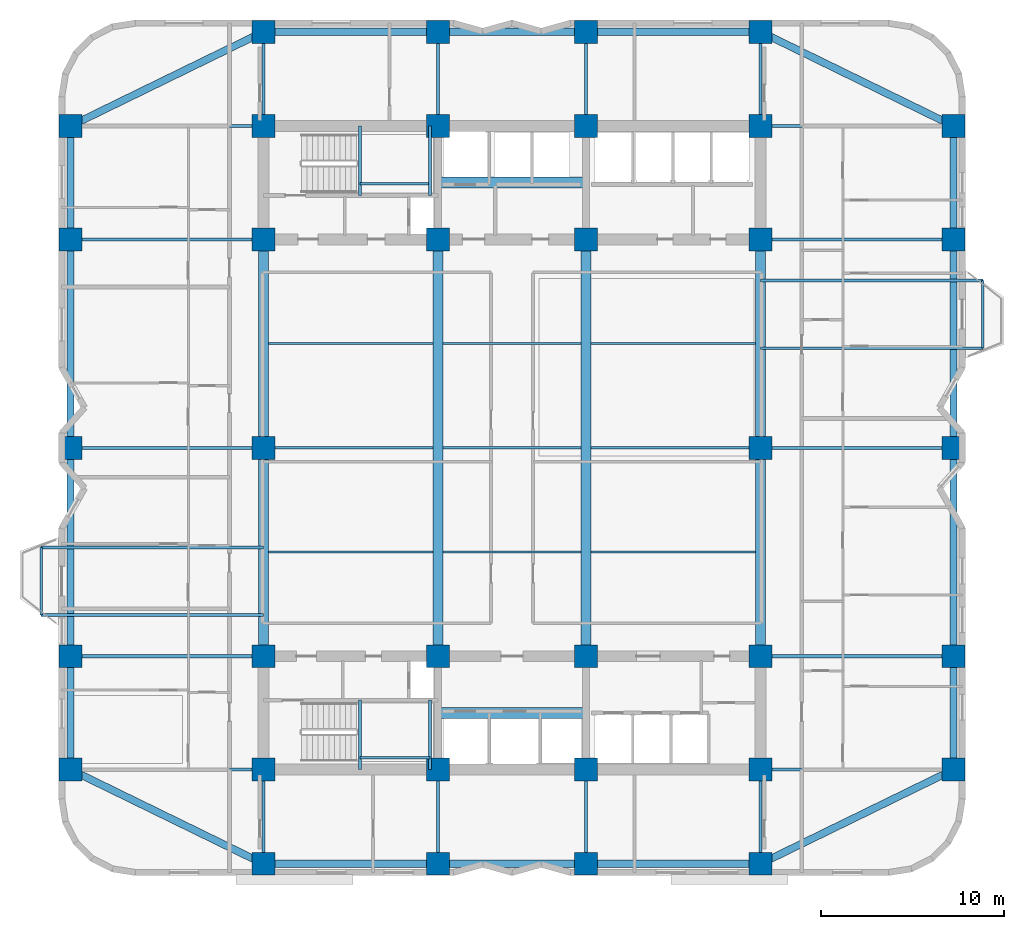
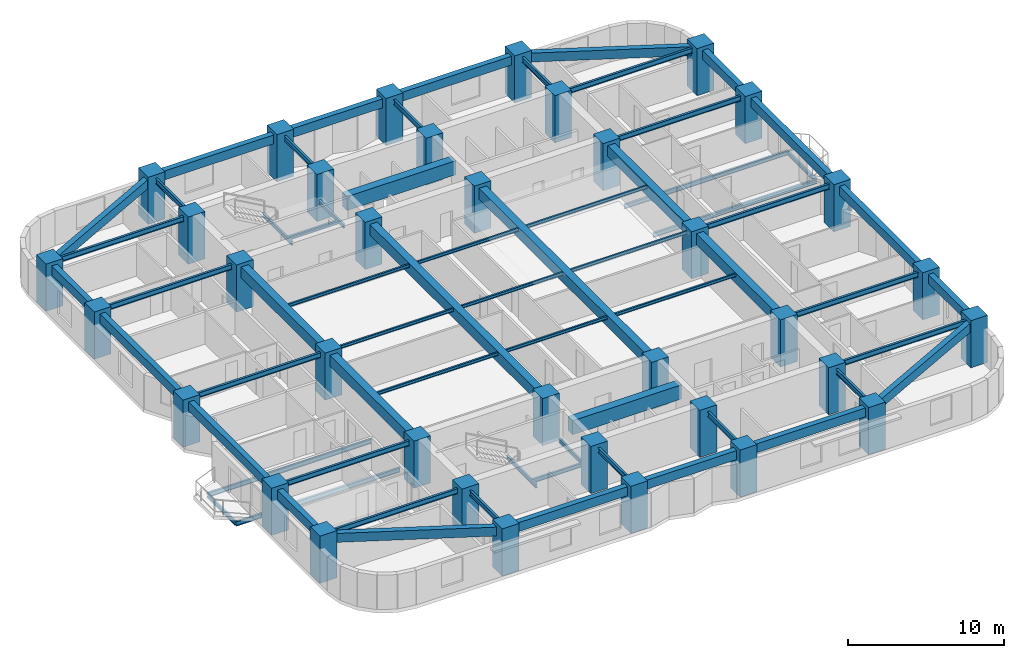
# One storey, part 1 of 9: 65 beams, 36 columns.
"""IFC4 building model written with IfcOpenShell, lengths in metres."""

from ifc_helpers import new_model, si_unit, direction, frame, origin, origin_2d, place, context, subcontext, project, spatial, rectangle, i_section, extrude, material, material_profile, profile_set, type_object, element, save


model = new_model("IFC4")

# Units and contexts
model_context = context("Model", 3, precision=1e-05, world=origin(), true_north=direction((0.0, 1.0)))
body_context = subcontext(model_context, "Body", "Model", "MODEL_VIEW")
ifc_project = project(units=[si_unit("LENGTHUNIT", "METRE"), si_unit("AREAUNIT", "SQUARE_METRE"), si_unit("VOLUMEUNIT", "CUBIC_METRE"), si_unit("PLANEANGLEUNIT", "RADIAN"), si_unit("MASSUNIT", "GRAM", prefix="KILO")], contexts=[model_context])

# Site, building, storey
site_placement = place(None, origin())
site = spatial("IfcSite", under=ifc_project, at=site_placement, CompositionType="ELEMENT")
building_placement = place(site_placement, origin())
building = spatial("IfcBuilding", under=site, at=building_placement, Name="Svetorya Sky Lyceum", CompositionType="ELEMENT")
storey_placement = place(building_placement, frame((0.0, 0.0, 47.300048828125)))
storey = spatial("IfcBuildingStorey", under=building, at=storey_placement, Name="L11", CompositionType="ELEMENT", Elevation=47.300048828125)

# Columns
ifc_material_1 = material(Name="Concrete C60/75", Category="concrete")
ifc_material_profile_1 = material_profile(ifc_material_1, rectangle(XDim=1.25, YDim=1.25, at=origin_2d()), Name="RC COL 1250x1250")
ifc_profile_set_1 = profile_set([ifc_material_profile_1], Name="Concrete C60/75")
column_type = type_object("IfcColumnType", Name="COL-RC-1250", PredefinedType="COLUMN", material=ifc_profile_set_1)
for number, where, z_axis, x_axis, name in (
    (1, (25.60009765625, 10.60009765625, 0.0), (0.0, 0.0, 1.0), (1.0, 0.0, 0.0), "L11 Core Column CS-11"),
    (2, (25.60009765625, 16.800048828125, 0.0), (0.0, 0.0, 1.0), (1.0, 0.0, 0.0), "L11 Core Column CS-12"),
    (3, (35.14990234375, 10.60009765625, 0.0), (0.0, 0.0, 1.0), (1.0, 0.0, 0.0), "L11 Core Column CS-21"),
    (4, (35.14990234375, 16.800048828125, 0.0), (0.0, 0.0, 1.0), (1.0, 0.0, 0.0), "L11 Core Column CS-22"),
    (5, (43.25, 10.60009765625, 0.0), (0.0, 0.0, 1.0), (1.0, 0.0, 0.0), "L11 Core Column CS-31"),
    (6, (43.25, 16.800048828125, 0.0), (0.0, 0.0, 1.0), (1.0, 0.0, 0.0), "L11 Core Column CS-32"),
    (7, (52.800048828125, 10.60009765625, 0.0), (0.0, 0.0, 1.0), (1.0, 0.0, 0.0), "L11 Core Column CS-41"),
    (8, (52.800048828125, 16.800048828125, 0.0), (0.0, 0.0, 1.0), (1.0, 0.0, 0.0), "L11 Core Column CS-42"),
    (9, (25.60009765625, 39.60009765625, 0.0), (0.0, 0.0, 1.0), (1.0, 0.0, 0.0), "L11 Core Column CN-11"),
    (10, (25.60009765625, 45.800048828125, 0.0), (0.0, 0.0, 1.0), (1.0, 0.0, 0.0), "L11 Core Column CN-12"),
    (11, (35.14990234375, 39.60009765625, 0.0), (0.0, 0.0, 1.0), (1.0, 0.0, 0.0), "L11 Core Column CN-21"),
    (12, (35.14990234375, 45.800048828125, 0.0), (0.0, 0.0, 1.0), (1.0, 0.0, 0.0), "L11 Core Column CN-22"),
    (13, (43.25, 39.60009765625, 0.0), (0.0, 0.0, 1.0), (1.0, 0.0, 0.0), "L11 Core Column CN-31"),
    (14, (43.25, 45.800048828125, 0.0), (0.0, 0.0, 1.0), (1.0, 0.0, 0.0), "L11 Core Column CN-32"),
    (15, (52.800048828125, 39.60009765625, 0.0), (0.0, 0.0, 1.0), (1.0, 0.0, 0.0), "L11 Core Column CN-41"),
    (16, (52.800048828125, 45.800048828125, 0.0), (0.0, 0.0, 1.0), (1.0, 0.0, 0.0), "L11 Core Column CN-42"),
    (17, (25.60009765625, 28.199951171875, 0.0), (0.0, 0.0, 1.0), (1.0, 0.0, 0.0), "L11 Core Column CM-W"),
    (18, (52.800048828125, 28.199951171875, 0.0), (0.0, 0.0, 1.0), (1.0, 0.0, 0.0), "L11 Core Column CM-E"),
    (19, (25.60009765625, 5.449951171875, 0.0), (0.0, 0.0, 1.0), (1.0, 0.0, 0.0), "L11 Perimeter Column S1"),
    (20, (25.60009765625, 50.949951171875, 0.0), (0.0, 0.0, 1.0), (1.0, 0.0, 0.0), "L11 Perimeter Column N1"),
    (21, (35.14990234375, 5.449951171875, 0.0), (0.0, 0.0, 1.0), (1.0, 0.0, 0.0), "L11 Perimeter Column S2"),
    (22, (35.14990234375, 50.949951171875, 0.0), (0.0, 0.0, 1.0), (1.0, 0.0, 0.0), "L11 Perimeter Column N2"),
    (23, (43.25, 5.449951171875, 0.0), (0.0, 0.0, 1.0), (1.0, 0.0, 0.0), "L11 Perimeter Column S3"),
    (24, (43.25, 50.949951171875, 0.0), (0.0, 0.0, 1.0), (1.0, 0.0, 0.0), "L11 Perimeter Column N3"),
    (25, (52.800048828125, 5.449951171875, 0.0), (0.0, 0.0, 1.0), (1.0, 0.0, 0.0), "L11 Perimeter Column S4"),
    (26, (52.800048828125, 50.949951171875, 0.0), (0.0, 0.0, 1.0), (1.0, 0.0, 0.0), "L11 Perimeter Column N4"),
    (27, (15.050048828125, 10.60009765625, 0.0), (0.0, 0.0, 1.0), (1.0, 0.0, 0.0), "L11 Perimeter Column W1"),
    (28, (63.35009765625, 10.60009765625, 0.0), (0.0, 0.0, 1.0), (1.0, 0.0, 0.0), "L11 Perimeter Column E1"),
    (29, (15.050048828125, 16.800048828125, 0.0), (0.0, 0.0, 1.0), (1.0, 0.0, 0.0), "L11 Perimeter Column W2"),
    (30, (63.35009765625, 16.800048828125, 0.0), (0.0, 0.0, 1.0), (1.0, 0.0, 0.0), "L11 Perimeter Column E2"),
    (31, (15.050048828125, 28.199951171875, 0.0), (0.0, 0.0, 1.0), (1.0, 0.0, 0.0), "L11 Perimeter Column W3"),
    (32, (63.35009765625, 28.199951171875, 0.0), (0.0, 0.0, 1.0), (1.0, 0.0, 0.0), "L11 Perimeter Column E3"),
    (33, (15.050048828125, 39.60009765625, 0.0), (0.0, 0.0, 1.0), (1.0, 0.0, 0.0), "L11 Perimeter Column W4"),
    (34, (63.35009765625, 39.60009765625, 0.0), (0.0, 0.0, 1.0), (1.0, 0.0, 0.0), "L11 Perimeter Column E4"),
    (35, (15.050048828125, 45.800048828125, 0.0), (0.0, 0.0, 1.0), (1.0, 0.0, 0.0), "L11 Perimeter Column W5"),
    (36, (63.35009765625, 45.800048828125, 0.0), (0.0, 0.0, 1.0), (1.0, 0.0, 0.0), "L11 Perimeter Column E5"),
):
    element("IfcColumn", number, at=place(storey_placement, frame(where, z_axis=z_axis, x_axis=x_axis)), inside=storey, type_object=column_type, Name=name, PredefinedType="COLUMN", context=body_context, shape_type="SweptSolid", body=[
        extrude(rectangle(XDim=1.25, YDim=1.25, at=origin_2d()), origin(), (0.0, 0.0, 1.0), 3.699951171875),
    ])

# Beams
ifc_material_profile_2 = material_profile(ifc_material_1, rectangle(XDim=0.60009765625, YDim=1.10009765625, at=origin_2d()), Name="RC COUPLING 600x1100")
ifc_profile_set_2 = profile_set([ifc_material_profile_2], Name="Concrete C60/75")
beam_type_1 = type_object("IfcBeamType", Name="BM-CPL-1100", PredefinedType="LINTEL", material=ifc_profile_set_2)
for number, where, z_axis, x_axis, name in (
    (37, (35.14990234375, 13.699951171875, 2.869873046875), (1.0, 0.0, 0.0), (0.0, 1.0, 0.0), "L11 SC Core Coupling Beam"),
    (38, (35.14990234375, 42.699951171875, 2.869873046875), (1.0, 0.0, 0.0), (0.0, 1.0, 0.0), "L11 NC Core Coupling Beam"),
):
    element("IfcBeam", number, at=place(storey_placement, frame(where, z_axis=z_axis, x_axis=x_axis)), inside=storey, type_object=beam_type_1, Name=name, PredefinedType="LINTEL", context=body_context, shape_type="SweptSolid", body=[
        extrude(rectangle(XDim=0.60009765625, YDim=1.10009765625, at=origin_2d()), origin(), (0.0, 0.0, 1.0), 8.10009765625),
    ])
ifc_material_2 = material(Name="Concrete C50/60", Category="concrete")
ifc_material_profile_3 = material_profile(ifc_material_2, rectangle(XDim=0.550048828125, YDim=0.85009765625, at=origin_2d()), Name="RC BEAM 550x850")
ifc_profile_set_3 = profile_set([ifc_material_profile_3], Name="Concrete C50/60")
beam_type_2 = type_object("IfcBeamType", Name="BM-RC-850", PredefinedType="BEAM", material=ifc_profile_set_3)
beam_1_placement = place(storey_placement, frame((25.60009765625, 16.800048828125, 2.994873046875), z_axis=(0.0, 1.0, 0.0), x_axis=(-1.0, 0.0, 0.0)))
element("IfcBeam", 39, at=beam_1_placement, inside=storey, type_object=beam_type_2, Name="L11 Central Bay Primary Girder CG-1A", PredefinedType="BEAM", context=body_context, shape_type="SweptSolid", body=[
    extrude(rectangle(XDim=0.550048828125, YDim=0.85009765625, at=origin_2d()), origin(), (0.0, 0.0, 1.0), 11.39990234375),
])
beam_2_placement = place(storey_placement, frame((25.60009765625, 28.199951171875, 2.994873046875), z_axis=(0.0, 1.0, 0.0), x_axis=(-1.0, 0.0, 0.0)))
element("IfcBeam", 40, at=beam_2_placement, inside=storey, type_object=beam_type_2, Name="L11 Central Bay Primary Girder CG-1B", PredefinedType="BEAM", context=body_context, shape_type="SweptSolid", body=[
    extrude(rectangle(XDim=0.550048828125, YDim=0.85009765625, at=origin_2d()), origin(), (0.0, 0.0, 1.0), 11.400146484375),
])
for number, where, z_axis, x_axis, name in (
    (41, (35.14990234375, 16.800048828125, 2.994873046875), (0.0, 1.0, 0.0), (-1.0, 0.0, 0.0), "L11 Central Bay Primary Girder CG-2"),
    (42, (43.25, 16.800048828125, 2.994873046875), (0.0, 1.0, 0.0), (-1.0, 0.0, 0.0), "L11 Central Bay Primary Girder CG-3"),
):
    element("IfcBeam", number, at=place(storey_placement, frame(where, z_axis=z_axis, x_axis=x_axis)), inside=storey, type_object=beam_type_2, Name=name, PredefinedType="BEAM", context=body_context, shape_type="SweptSolid", body=[
        extrude(rectangle(XDim=0.550048828125, YDim=0.85009765625, at=origin_2d()), origin(), (0.0, 0.0, 1.0), 22.800048828125),
    ])
beam_3_placement = place(storey_placement, frame((52.800048828125, 16.800048828125, 2.994873046875), z_axis=(0.0, 1.0, 0.0), x_axis=(-1.0, 0.0, 0.0)))
element("IfcBeam", 43, at=beam_3_placement, inside=storey, type_object=beam_type_2, Name="L11 Central Bay Primary Girder CG-4A", PredefinedType="BEAM", context=body_context, shape_type="SweptSolid", body=[
    extrude(rectangle(XDim=0.550048828125, YDim=0.85009765625, at=origin_2d()), origin(), (0.0, 0.0, 1.0), 11.39990234375),
])
beam_4_placement = place(storey_placement, frame((52.800048828125, 28.199951171875, 2.994873046875), z_axis=(0.0, 1.0, 0.0), x_axis=(-1.0, 0.0, 0.0)))
element("IfcBeam", 44, at=beam_4_placement, inside=storey, type_object=beam_type_2, Name="L11 Central Bay Primary Girder CG-4B", PredefinedType="BEAM", context=body_context, shape_type="SweptSolid", body=[
    extrude(rectangle(XDim=0.550048828125, YDim=0.85009765625, at=origin_2d()), origin(), (0.0, 0.0, 1.0), 11.400146484375),
])
ifc_material_profile_4 = material_profile(ifc_material_2, rectangle(XDim=0.39990234375, YDim=0.699951171875, at=origin_2d()), Name="RC SPANDREL 400x700")
ifc_profile_set_4 = profile_set([ifc_material_profile_4], Name="Concrete C50/60")
beam_type_3 = type_object("IfcBeamType", Name="BM-SPN-700", PredefinedType="SPANDREL", material=ifc_profile_set_4)
beam_5_placement = place(storey_placement, frame((25.60009765625, 5.449951171875, 3.070068359375), z_axis=(1.0, 0.0, 0.0), x_axis=(0.0, 1.0, 0.0)))
element("IfcBeam", 45, at=beam_5_placement, inside=storey, type_object=beam_type_3, Name="L11 South Spandrel 1", PredefinedType="SPANDREL", context=body_context, shape_type="SweptSolid", body=[
    extrude(rectangle(XDim=0.39990234375, YDim=0.699951171875, at=origin_2d()), origin(), (0.0, 0.0, 1.0), 9.5498046875),
])
beam_6_placement = place(storey_placement, frame((35.14990234375, 5.449951171875, 3.070068359375), z_axis=(1.0, 0.0, 0.0), x_axis=(0.0, 1.0, 0.0)))
element("IfcBeam", 46, at=beam_6_placement, inside=storey, type_object=beam_type_3, Name="L11 South Spandrel 2", PredefinedType="SPANDREL", context=body_context, shape_type="SweptSolid", body=[
    extrude(rectangle(XDim=0.39990234375, YDim=0.699951171875, at=origin_2d()), origin(), (0.0, 0.0, 1.0), 8.10009765625),
])
beam_7_placement = place(storey_placement, frame((43.25, 5.449951171875, 3.070068359375), z_axis=(1.0, 0.0, 0.0), x_axis=(0.0, 1.0, 0.0)))
element("IfcBeam", 47, at=beam_7_placement, inside=storey, type_object=beam_type_3, Name="L11 South Spandrel 3", PredefinedType="SPANDREL", context=body_context, shape_type="SweptSolid", body=[
    extrude(rectangle(XDim=0.39990234375, YDim=0.699951171875, at=origin_2d()), origin(), (0.0, 0.0, 1.0), 9.550048828125),
])
beam_8_placement = place(storey_placement, frame((25.60009765625, 50.949951171875, 3.070068359375), z_axis=(1.0, 0.0, 0.0), x_axis=(0.0, 1.0, 0.0)))
element("IfcBeam", 48, at=beam_8_placement, inside=storey, type_object=beam_type_3, Name="L11 North Spandrel 1", PredefinedType="SPANDREL", context=body_context, shape_type="SweptSolid", body=[
    extrude(rectangle(XDim=0.39990234375, YDim=0.699951171875, at=origin_2d()), origin(), (0.0, 0.0, 1.0), 9.5498046875),
])
beam_9_placement = place(storey_placement, frame((35.14990234375, 50.949951171875, 3.070068359375), z_axis=(1.0, 0.0, 0.0), x_axis=(0.0, 1.0, 0.0)))
element("IfcBeam", 49, at=beam_9_placement, inside=storey, type_object=beam_type_3, Name="L11 North Spandrel 2", PredefinedType="SPANDREL", context=body_context, shape_type="SweptSolid", body=[
    extrude(rectangle(XDim=0.39990234375, YDim=0.699951171875, at=origin_2d()), origin(), (0.0, 0.0, 1.0), 8.10009765625),
])
beam_10_placement = place(storey_placement, frame((43.25, 50.949951171875, 3.070068359375), z_axis=(1.0, 0.0, 0.0), x_axis=(0.0, 1.0, 0.0)))
element("IfcBeam", 50, at=beam_10_placement, inside=storey, type_object=beam_type_3, Name="L11 North Spandrel 3", PredefinedType="SPANDREL", context=body_context, shape_type="SweptSolid", body=[
    extrude(rectangle(XDim=0.39990234375, YDim=0.699951171875, at=origin_2d()), origin(), (0.0, 0.0, 1.0), 9.550048828125),
])
for number, where, z_axis, x_axis, name in (
    (51, (25.60009765625, 5.449951171875, 3.070068359375), (-0.898641495694, 0.438683783854, 0.0), (-0.438683783854, -0.898641495694, 0.0), "L11 Corner Spandrel 1"),
    (52, (52.800048828125, 5.449951171875, 3.070068359375), (0.898641495694, 0.438683783854, 0.0), (-0.438683783854, 0.898641495694, 0.0), "L11 Corner Spandrel 2"),
    (53, (63.35009765625, 45.800048828125, 3.070068359375), (-0.898649693653, 0.438666989978, 0.0), (-0.438666989978, -0.898649693653, 0.0), "L11 Corner Spandrel 3"),
    (54, (15.050048828125, 45.800048828125, 3.070068359375), (0.898649693653, 0.438666989978, 0.0), (-0.438666989978, 0.898649693653, 0.0), "L11 Corner Spandrel 4"),
):
    element("IfcBeam", number, at=place(storey_placement, frame(where, z_axis=z_axis, x_axis=x_axis)), inside=storey, type_object=beam_type_3, Name=name, PredefinedType="SPANDREL", context=body_context, shape_type="SweptSolid", body=[
        extrude(rectangle(XDim=0.39990234375, YDim=0.699951171875, at=origin_2d()), origin(), (0.0, 0.0, 1.0), 11.739990234375),
    ])
beam_11_placement = place(storey_placement, frame((15.050048828125, 10.60009765625, 3.070068359375), z_axis=(0.0, 1.0, 0.0), x_axis=(-1.0, 0.0, 0.0)))
element("IfcBeam", 55, at=beam_11_placement, inside=storey, type_object=beam_type_3, Name="L11 West Spandrel 1", PredefinedType="SPANDREL", context=body_context, shape_type="SweptSolid", body=[
    extrude(rectangle(XDim=0.39990234375, YDim=0.699951171875, at=origin_2d()), origin(), (0.0, 0.0, 1.0), 6.199951171875),
])
beam_12_placement = place(storey_placement, frame((15.050048828125, 16.800048828125, 3.070068359375), z_axis=(0.0, 1.0, 0.0), x_axis=(-1.0, 0.0, 0.0)))
element("IfcBeam", 56, at=beam_12_placement, inside=storey, type_object=beam_type_3, Name="L11 West Spandrel 2", PredefinedType="SPANDREL", context=body_context, shape_type="SweptSolid", body=[
    extrude(rectangle(XDim=0.39990234375, YDim=0.699951171875, at=origin_2d()), origin(), (0.0, 0.0, 1.0), 11.39990234375),
])
beam_13_placement = place(storey_placement, frame((15.050048828125, 28.199951171875, 3.070068359375), z_axis=(0.0, 1.0, 0.0), x_axis=(-1.0, 0.0, 0.0)))
element("IfcBeam", 57, at=beam_13_placement, inside=storey, type_object=beam_type_3, Name="L11 West Spandrel 3", PredefinedType="SPANDREL", context=body_context, shape_type="SweptSolid", body=[
    extrude(rectangle(XDim=0.39990234375, YDim=0.699951171875, at=origin_2d()), origin(), (0.0, 0.0, 1.0), 11.400146484375),
])
for number, where, z_axis, x_axis, name in (
    (58, (15.050048828125, 39.60009765625, 3.070068359375), (0.0, 1.0, 0.0), (-1.0, 0.0, 0.0), "L11 West Spandrel 4"),
    (59, (63.35009765625, 10.60009765625, 3.070068359375), (0.0, 1.0, 0.0), (-1.0, 0.0, 0.0), "L11 East Spandrel 1"),
):
    element("IfcBeam", number, at=place(storey_placement, frame(where, z_axis=z_axis, x_axis=x_axis)), inside=storey, type_object=beam_type_3, Name=name, PredefinedType="SPANDREL", context=body_context, shape_type="SweptSolid", body=[
        extrude(rectangle(XDim=0.39990234375, YDim=0.699951171875, at=origin_2d()), origin(), (0.0, 0.0, 1.0), 6.199951171875),
    ])
beam_14_placement = place(storey_placement, frame((63.35009765625, 16.800048828125, 3.070068359375), z_axis=(0.0, 1.0, 0.0), x_axis=(-1.0, 0.0, 0.0)))
element("IfcBeam", 60, at=beam_14_placement, inside=storey, type_object=beam_type_3, Name="L11 East Spandrel 2", PredefinedType="SPANDREL", context=body_context, shape_type="SweptSolid", body=[
    extrude(rectangle(XDim=0.39990234375, YDim=0.699951171875, at=origin_2d()), origin(), (0.0, 0.0, 1.0), 11.39990234375),
])
beam_15_placement = place(storey_placement, frame((63.35009765625, 28.199951171875, 3.070068359375), z_axis=(0.0, 1.0, 0.0), x_axis=(-1.0, 0.0, 0.0)))
element("IfcBeam", 61, at=beam_15_placement, inside=storey, type_object=beam_type_3, Name="L11 East Spandrel 3", PredefinedType="SPANDREL", context=body_context, shape_type="SweptSolid", body=[
    extrude(rectangle(XDim=0.39990234375, YDim=0.699951171875, at=origin_2d()), origin(), (0.0, 0.0, 1.0), 11.400146484375),
])
beam_16_placement = place(storey_placement, frame((63.35009765625, 39.60009765625, 3.070068359375), z_axis=(0.0, 1.0, 0.0), x_axis=(-1.0, 0.0, 0.0)))
element("IfcBeam", 62, at=beam_16_placement, inside=storey, type_object=beam_type_3, Name="L11 East Spandrel 4", PredefinedType="SPANDREL", context=body_context, shape_type="SweptSolid", body=[
    extrude(rectangle(XDim=0.39990234375, YDim=0.699951171875, at=origin_2d()), origin(), (0.0, 0.0, 1.0), 6.199951171875),
])
ifc_material_3 = material(Name="Steel S355", Category="steel")
ifc_material_profile_5 = material_profile(ifc_material_3, i_section(OverallWidth=0.1240234375, OverallDepth=0.248046875, WebThickness=0.006103515625, FlangeThickness=0.009521484375, at=origin_2d()), Name="GOST 25B2")
ifc_profile_set_5 = profile_set([ifc_material_profile_5], Name="Steel S355")
beam_type_4 = type_object("IfcBeamType", Name="BM-STL-25B2", PredefinedType="JOIST", material=ifc_profile_set_5)
beam_17_placement = place(storey_placement, frame((25.875, 22.5, 3.2958984375), z_axis=(1.0, 0.0, 0.0), x_axis=(0.0, 1.0, 0.0)))
element("IfcBeam", 63, at=beam_17_placement, inside=storey, type_object=beam_type_4, Name="L11 Central Floor Joist CJ-1.1", PredefinedType="JOIST", context=body_context, shape_type="SweptSolid", body=[
    extrude(i_section(OverallWidth=0.1240234375, OverallDepth=0.248046875, WebThickness=0.006103515625, FlangeThickness=0.009521484375, at=origin_2d()), origin(), (0.0, 0.0, 1.0), 9.0),
])
beam_18_placement = place(storey_placement, frame((35.425048828125, 22.5, 3.2958984375), z_axis=(1.0, 0.0, 0.0), x_axis=(0.0, 1.0, 0.0)))
element("IfcBeam", 64, at=beam_18_placement, inside=storey, type_object=beam_type_4, Name="L11 Central Floor Joist CJ-1.2", PredefinedType="JOIST", context=body_context, shape_type="SweptSolid", body=[
    extrude(i_section(OverallWidth=0.1240234375, OverallDepth=0.248046875, WebThickness=0.006103515625, FlangeThickness=0.009521484375, at=origin_2d()), origin(), (0.0, 0.0, 1.0), 7.550048828125),
])
for number, where, z_axis, x_axis, name in (
    (65, (43.52490234375, 22.5, 3.2958984375), (1.0, 0.0, 0.0), (0.0, 1.0, 0.0), "L11 Central Floor Joist CJ-1.3"),
    (66, (25.875, 28.199951171875, 3.2958984375), (1.0, 0.0, 0.0), (0.0, 1.0, 0.0), "L11 Central Floor Joist CJ-2.1"),
):
    element("IfcBeam", number, at=place(storey_placement, frame(where, z_axis=z_axis, x_axis=x_axis)), inside=storey, type_object=beam_type_4, Name=name, PredefinedType="JOIST", context=body_context, shape_type="SweptSolid", body=[
        extrude(i_section(OverallWidth=0.1240234375, OverallDepth=0.248046875, WebThickness=0.006103515625, FlangeThickness=0.009521484375, at=origin_2d()), origin(), (0.0, 0.0, 1.0), 9.0),
    ])
beam_19_placement = place(storey_placement, frame((35.425048828125, 28.199951171875, 3.2958984375), z_axis=(1.0, 0.0, 0.0), x_axis=(0.0, 1.0, 0.0)))
element("IfcBeam", 67, at=beam_19_placement, inside=storey, type_object=beam_type_4, Name="L11 Central Floor Joist CJ-2.2", PredefinedType="JOIST", context=body_context, shape_type="SweptSolid", body=[
    extrude(i_section(OverallWidth=0.1240234375, OverallDepth=0.248046875, WebThickness=0.006103515625, FlangeThickness=0.009521484375, at=origin_2d()), origin(), (0.0, 0.0, 1.0), 7.550048828125),
])
for number, where, z_axis, x_axis, name in (
    (68, (43.52490234375, 28.199951171875, 3.2958984375), (1.0, 0.0, 0.0), (0.0, 1.0, 0.0), "L11 Central Floor Joist CJ-2.3"),
    (69, (25.875, 33.89990234375, 3.2958984375), (1.0, 0.0, 0.0), (0.0, 1.0, 0.0), "L11 Central Floor Joist CJ-3.1"),
):
    element("IfcBeam", number, at=place(storey_placement, frame(where, z_axis=z_axis, x_axis=x_axis)), inside=storey, type_object=beam_type_4, Name=name, PredefinedType="JOIST", context=body_context, shape_type="SweptSolid", body=[
        extrude(i_section(OverallWidth=0.1240234375, OverallDepth=0.248046875, WebThickness=0.006103515625, FlangeThickness=0.009521484375, at=origin_2d()), origin(), (0.0, 0.0, 1.0), 9.0),
    ])
beam_20_placement = place(storey_placement, frame((35.425048828125, 33.89990234375, 3.2958984375), z_axis=(1.0, 0.0, 0.0), x_axis=(0.0, 1.0, 0.0)))
element("IfcBeam", 70, at=beam_20_placement, inside=storey, type_object=beam_type_4, Name="L11 Central Floor Joist CJ-3.2", PredefinedType="JOIST", context=body_context, shape_type="SweptSolid", body=[
    extrude(i_section(OverallWidth=0.1240234375, OverallDepth=0.248046875, WebThickness=0.006103515625, FlangeThickness=0.009521484375, at=origin_2d()), origin(), (0.0, 0.0, 1.0), 7.550048828125),
])
beam_21_placement = place(storey_placement, frame((43.52490234375, 33.89990234375, 3.2958984375), z_axis=(1.0, 0.0, 0.0), x_axis=(0.0, 1.0, 0.0)))
element("IfcBeam", 71, at=beam_21_placement, inside=storey, type_object=beam_type_4, Name="L11 Central Floor Joist CJ-3.3", PredefinedType="JOIST", context=body_context, shape_type="SweptSolid", body=[
    extrude(i_section(OverallWidth=0.1240234375, OverallDepth=0.248046875, WebThickness=0.006103515625, FlangeThickness=0.009521484375, at=origin_2d()), origin(), (0.0, 0.0, 1.0), 9.0),
])
ifc_material_profile_6 = material_profile(ifc_material_3, i_section(OverallWidth=0.14990234375, OverallDepth=0.299072265625, WebThickness=0.006591796875, FlangeThickness=0.010498046875, at=origin_2d()), Name="GOST 30B2")
ifc_profile_set_6 = profile_set([ifc_material_profile_6], Name="Steel S355")
beam_type_5 = type_object("IfcBeamType", Name="BM-STL-30B2", PredefinedType="JOIST", material=ifc_profile_set_6)
beam_22_placement = place(storey_placement, frame((13.449951171875, 19.050048828125, -0.45458984375), z_axis=(0.0, 1.0, 0.0), x_axis=(-1.0, 0.0, 0.0)))
element("IfcBeam", 72, at=beam_22_placement, inside=storey, type_object=beam_type_5, Name="L11 Balcony Edge Tie BAL-W1", PredefinedType="JOIST", context=body_context, shape_type="SweptSolid", body=[
    extrude(i_section(OverallWidth=0.14990234375, OverallDepth=0.299072265625, WebThickness=0.006591796875, FlangeThickness=0.010498046875, at=origin_2d()), origin(), (0.0, 0.0, 1.0), 3.699951171875),
])
beam_23_placement = place(storey_placement, frame((64.949951171875, 33.64990234375, -0.45458984375), z_axis=(0.0, 1.0, 0.0), x_axis=(-1.0, 0.0, 0.0)))
element("IfcBeam", 73, at=beam_23_placement, inside=storey, type_object=beam_type_5, Name="L11 Balcony Edge Tie BAL-E1", PredefinedType="JOIST", context=body_context, shape_type="SweptSolid", body=[
    extrude(i_section(OverallWidth=0.14990234375, OverallDepth=0.299072265625, WebThickness=0.006591796875, FlangeThickness=0.010498046875, at=origin_2d()), origin(), (0.0, 0.0, 1.0), 3.7001953125),
])
for number, where, z_axis, x_axis, name in (
    (74, (30.8798828125, 10.60009765625, 1.50048828125), (0.0, 1.0, 0.0), (-1.0, 0.0, 0.0), "L11 Stair ST-S Half-Landing Support Beam 13.1"),
    (75, (34.719970703125, 10.60009765625, 1.50048828125), (0.0, 1.0, 0.0), (-1.0, 0.0, 0.0), "L11 Stair ST-S Half-Landing Support Beam 13.2"),
):
    element("IfcBeam", number, at=place(storey_placement, frame(where, z_axis=z_axis, x_axis=x_axis)), inside=storey, type_object=beam_type_5, Name=name, PredefinedType="JOIST", context=body_context, shape_type="SweptSolid", body=[
        extrude(i_section(OverallWidth=0.14990234375, OverallDepth=0.299072265625, WebThickness=0.006591796875, FlangeThickness=0.010498046875, at=origin_2d()), origin(), (0.0, 0.0, 1.0), 3.7998046875),
    ])
beam_24_placement = place(storey_placement, frame((30.8798828125, 11.25, 1.50048828125), z_axis=(1.0, 0.0, 0.0), x_axis=(0.0, 1.0, 0.0)))
element("IfcBeam", 76, at=beam_24_placement, inside=storey, type_object=beam_type_5, Name="L11 Stair ST-S Half-Landing Cross Tie 13", PredefinedType="JOIST", context=body_context, shape_type="SweptSolid", body=[
    extrude(i_section(OverallWidth=0.14990234375, OverallDepth=0.299072265625, WebThickness=0.006591796875, FlangeThickness=0.010498046875, at=origin_2d()), origin(), (0.0, 0.0, 1.0), 3.840087890625),
])
for number, where, z_axis, x_axis, name in (
    (77, (30.8798828125, 42.0, 1.50048828125), (0.0, 1.0, 0.0), (-1.0, 0.0, 0.0), "L11 Stair ST-N Half-Landing Support Beam 13.1"),
    (78, (34.719970703125, 42.0, 1.50048828125), (0.0, 1.0, 0.0), (-1.0, 0.0, 0.0), "L11 Stair ST-N Half-Landing Support Beam 13.2"),
):
    element("IfcBeam", number, at=place(storey_placement, frame(where, z_axis=z_axis, x_axis=x_axis)), inside=storey, type_object=beam_type_5, Name=name, PredefinedType="JOIST", context=body_context, shape_type="SweptSolid", body=[
        extrude(i_section(OverallWidth=0.14990234375, OverallDepth=0.299072265625, WebThickness=0.006591796875, FlangeThickness=0.010498046875, at=origin_2d()), origin(), (0.0, 0.0, 1.0), 3.800048828125),
    ])
beam_25_placement = place(storey_placement, frame((30.8798828125, 42.64990234375, 1.50048828125), z_axis=(1.0, 0.0, 0.0), x_axis=(0.0, 1.0, 0.0)))
element("IfcBeam", 79, at=beam_25_placement, inside=storey, type_object=beam_type_5, Name="L11 Stair ST-N Half-Landing Cross Tie 13", PredefinedType="JOIST", context=body_context, shape_type="SweptSolid", body=[
    extrude(i_section(OverallWidth=0.14990234375, OverallDepth=0.299072265625, WebThickness=0.006591796875, FlangeThickness=0.010498046875, at=origin_2d()), origin(), (0.0, 0.0, 1.0), 3.840087890625),
])
ifc_material_profile_7 = material_profile(ifc_material_3, i_section(OverallWidth=0.155029296875, OverallDepth=0.34912109375, WebThickness=0.007080078125, FlangeThickness=0.011474609375, at=origin_2d()), Name="GOST 35B2")
ifc_profile_set_7 = profile_set([ifc_material_profile_7], Name="Steel S355")
beam_type_6 = type_object("IfcBeamType", Name="BM-STL-35B2", PredefinedType="JOIST", material=ifc_profile_set_7)
for number, where, z_axis, x_axis, name in (
    (80, (25.60009765625, 19.050048828125, -0.45458984375), (-1.0, 0.0, 0.0), (0.0, -1.0, 0.0), "L11 Balcony Cantilever Beam BAL-W1-1"),
    (81, (25.60009765625, 22.75, -0.45458984375), (-1.0, 0.0, 0.0), (0.0, -1.0, 0.0), "L11 Balcony Cantilever Beam BAL-W1-2"),
):
    element("IfcBeam", number, at=place(storey_placement, frame(where, z_axis=z_axis, x_axis=x_axis)), inside=storey, type_object=beam_type_6, Name=name, PredefinedType="JOIST", context=body_context, shape_type="SweptSolid", body=[
        extrude(i_section(OverallWidth=0.155029296875, OverallDepth=0.34912109375, WebThickness=0.007080078125, FlangeThickness=0.011474609375, at=origin_2d()), origin(), (0.0, 0.0, 1.0), 12.150146484375),
    ])
for number, where, z_axis, x_axis, name in (
    (82, (52.800048828125, 33.64990234375, -0.45458984375), (1.0, 0.0, 0.0), (0.0, 1.0, 0.0), "L11 Balcony Cantilever Beam BAL-E1-1"),
    (83, (52.800048828125, 37.35009765625, -0.45458984375), (1.0, 0.0, 0.0), (0.0, 1.0, 0.0), "L11 Balcony Cantilever Beam BAL-E1-2"),
):
    element("IfcBeam", number, at=place(storey_placement, frame(where, z_axis=z_axis, x_axis=x_axis)), inside=storey, type_object=beam_type_6, Name=name, PredefinedType="JOIST", context=body_context, shape_type="SweptSolid", body=[
        extrude(i_section(OverallWidth=0.155029296875, OverallDepth=0.34912109375, WebThickness=0.007080078125, FlangeThickness=0.011474609375, at=origin_2d()), origin(), (0.0, 0.0, 1.0), 12.14990234375),
    ])
ifc_material_profile_8 = material_profile(ifc_material_3, i_section(OverallWidth=0.1650390625, OverallDepth=0.39990234375, WebThickness=0.008056640625, FlangeThickness=0.012939453125, at=origin_2d()), Name="GOST 40B2")
ifc_profile_set_8 = profile_set([ifc_material_profile_8], Name="Steel S355")
beam_type_7 = type_object("IfcBeamType", Name="BM-STL-40B2", PredefinedType="JOIST", material=ifc_profile_set_8)
for number, where, z_axis, x_axis, name in (
    (84, (15.050048828125, 10.60009765625, 3.219970703125), (1.0, 0.0, 0.0), (0.0, 1.0, 0.0), "L11 West Wing Floor Joist W1"),
    (85, (52.800048828125, 10.60009765625, 3.219970703125), (1.0, 0.0, 0.0), (0.0, 1.0, 0.0), "L11 East Wing Floor Joist E1"),
    (86, (15.050048828125, 16.800048828125, 3.219970703125), (1.0, 0.0, 0.0), (0.0, 1.0, 0.0), "L11 West Wing Floor Joist W2"),
    (87, (52.800048828125, 16.800048828125, 3.219970703125), (1.0, 0.0, 0.0), (0.0, 1.0, 0.0), "L11 East Wing Floor Joist E2"),
    (88, (15.050048828125, 28.199951171875, 3.219970703125), (1.0, 0.0, 0.0), (0.0, 1.0, 0.0), "L11 West Wing Floor Joist W3"),
    (89, (52.800048828125, 28.199951171875, 3.219970703125), (1.0, 0.0, 0.0), (0.0, 1.0, 0.0), "L11 East Wing Floor Joist E3"),
    (90, (15.050048828125, 39.60009765625, 3.219970703125), (1.0, 0.0, 0.0), (0.0, 1.0, 0.0), "L11 West Wing Floor Joist W4"),
    (91, (52.800048828125, 39.60009765625, 3.219970703125), (1.0, 0.0, 0.0), (0.0, 1.0, 0.0), "L11 East Wing Floor Joist E4"),
    (92, (15.050048828125, 45.800048828125, 3.219970703125), (1.0, 0.0, 0.0), (0.0, 1.0, 0.0), "L11 West Wing Floor Joist W5"),
    (93, (52.800048828125, 45.800048828125, 3.219970703125), (1.0, 0.0, 0.0), (0.0, 1.0, 0.0), "L11 East Wing Floor Joist E5"),
):
    element("IfcBeam", number, at=place(storey_placement, frame(where, z_axis=z_axis, x_axis=x_axis)), inside=storey, type_object=beam_type_7, Name=name, PredefinedType="JOIST", context=body_context, shape_type="SweptSolid", body=[
        extrude(i_section(OverallWidth=0.1650390625, OverallDepth=0.39990234375, WebThickness=0.008056640625, FlangeThickness=0.012939453125, at=origin_2d()), origin(), (0.0, 0.0, 1.0), 10.550048828125),
    ])
beam_26_placement = place(storey_placement, frame((25.60009765625, 5.449951171875, 3.219970703125), z_axis=(0.0, 1.0, 0.0), x_axis=(-1.0, 0.0, 0.0)))
element("IfcBeam", 94, at=beam_26_placement, inside=storey, type_object=beam_type_7, Name="L11 South Bay Floor Girder S1", PredefinedType="JOIST", context=body_context, shape_type="SweptSolid", body=[
    extrude(i_section(OverallWidth=0.1650390625, OverallDepth=0.39990234375, WebThickness=0.008056640625, FlangeThickness=0.012939453125, at=origin_2d()), origin(), (0.0, 0.0, 1.0), 5.150146484375),
])
beam_27_placement = place(storey_placement, frame((25.60009765625, 45.800048828125, 3.219970703125), z_axis=(0.0, 1.0, 0.0), x_axis=(-1.0, 0.0, 0.0)))
element("IfcBeam", 95, at=beam_27_placement, inside=storey, type_object=beam_type_7, Name="L11 North Bay Floor Girder N1", PredefinedType="JOIST", context=body_context, shape_type="SweptSolid", body=[
    extrude(i_section(OverallWidth=0.1650390625, OverallDepth=0.39990234375, WebThickness=0.008056640625, FlangeThickness=0.012939453125, at=origin_2d()), origin(), (0.0, 0.0, 1.0), 5.14990234375),
])
beam_28_placement = place(storey_placement, frame((35.14990234375, 5.449951171875, 3.219970703125), z_axis=(0.0, 1.0, 0.0), x_axis=(-1.0, 0.0, 0.0)))
element("IfcBeam", 96, at=beam_28_placement, inside=storey, type_object=beam_type_7, Name="L11 South Bay Floor Girder S2", PredefinedType="JOIST", context=body_context, shape_type="SweptSolid", body=[
    extrude(i_section(OverallWidth=0.1650390625, OverallDepth=0.39990234375, WebThickness=0.008056640625, FlangeThickness=0.012939453125, at=origin_2d()), origin(), (0.0, 0.0, 1.0), 5.150146484375),
])
beam_29_placement = place(storey_placement, frame((35.14990234375, 45.800048828125, 3.219970703125), z_axis=(0.0, 1.0, 0.0), x_axis=(-1.0, 0.0, 0.0)))
element("IfcBeam", 97, at=beam_29_placement, inside=storey, type_object=beam_type_7, Name="L11 North Bay Floor Girder N2", PredefinedType="JOIST", context=body_context, shape_type="SweptSolid", body=[
    extrude(i_section(OverallWidth=0.1650390625, OverallDepth=0.39990234375, WebThickness=0.008056640625, FlangeThickness=0.012939453125, at=origin_2d()), origin(), (0.0, 0.0, 1.0), 5.14990234375),
])
beam_30_placement = place(storey_placement, frame((43.25, 5.449951171875, 3.219970703125), z_axis=(0.0, 1.0, 0.0), x_axis=(-1.0, 0.0, 0.0)))
element("IfcBeam", 98, at=beam_30_placement, inside=storey, type_object=beam_type_7, Name="L11 South Bay Floor Girder S3", PredefinedType="JOIST", context=body_context, shape_type="SweptSolid", body=[
    extrude(i_section(OverallWidth=0.1650390625, OverallDepth=0.39990234375, WebThickness=0.008056640625, FlangeThickness=0.012939453125, at=origin_2d()), origin(), (0.0, 0.0, 1.0), 5.150146484375),
])
beam_31_placement = place(storey_placement, frame((43.25, 45.800048828125, 3.219970703125), z_axis=(0.0, 1.0, 0.0), x_axis=(-1.0, 0.0, 0.0)))
element("IfcBeam", 99, at=beam_31_placement, inside=storey, type_object=beam_type_7, Name="L11 North Bay Floor Girder N3", PredefinedType="JOIST", context=body_context, shape_type="SweptSolid", body=[
    extrude(i_section(OverallWidth=0.1650390625, OverallDepth=0.39990234375, WebThickness=0.008056640625, FlangeThickness=0.012939453125, at=origin_2d()), origin(), (0.0, 0.0, 1.0), 5.14990234375),
])
beam_32_placement = place(storey_placement, frame((52.800048828125, 5.449951171875, 3.219970703125), z_axis=(0.0, 1.0, 0.0), x_axis=(-1.0, 0.0, 0.0)))
element("IfcBeam", 100, at=beam_32_placement, inside=storey, type_object=beam_type_7, Name="L11 South Bay Floor Girder S4", PredefinedType="JOIST", context=body_context, shape_type="SweptSolid", body=[
    extrude(i_section(OverallWidth=0.1650390625, OverallDepth=0.39990234375, WebThickness=0.008056640625, FlangeThickness=0.012939453125, at=origin_2d()), origin(), (0.0, 0.0, 1.0), 5.150146484375),
])
beam_33_placement = place(storey_placement, frame((52.800048828125, 45.800048828125, 3.219970703125), z_axis=(0.0, 1.0, 0.0), x_axis=(-1.0, 0.0, 0.0)))
element("IfcBeam", 101, at=beam_33_placement, inside=storey, type_object=beam_type_7, Name="L11 North Bay Floor Girder N4", PredefinedType="JOIST", context=body_context, shape_type="SweptSolid", body=[
    extrude(i_section(OverallWidth=0.1650390625, OverallDepth=0.39990234375, WebThickness=0.008056640625, FlangeThickness=0.012939453125, at=origin_2d()), origin(), (0.0, 0.0, 1.0), 5.14990234375),
])

save(model, "model.ifc")
